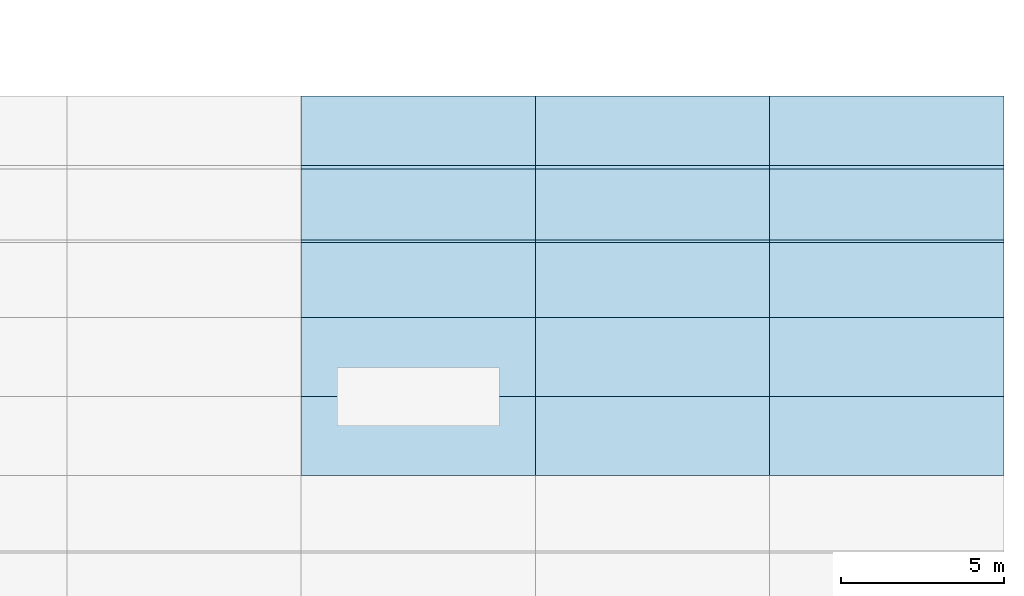
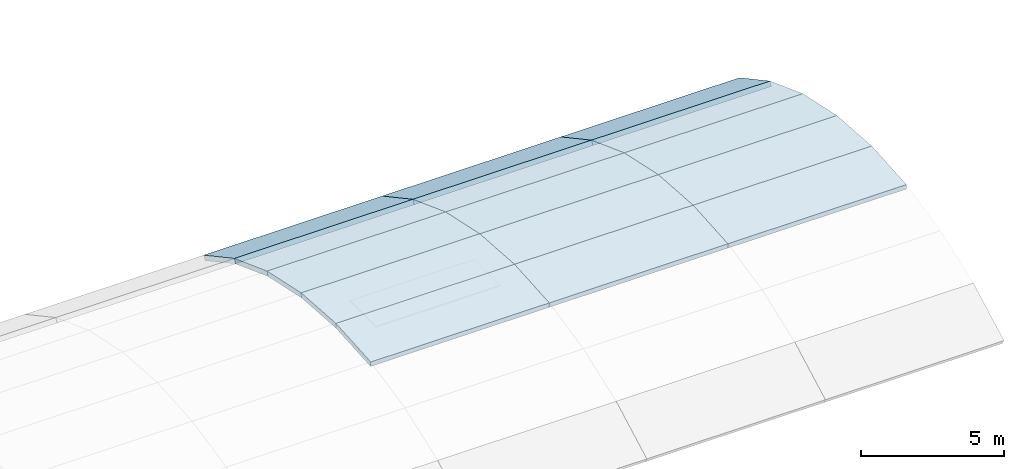
# One storey, part 28 of 55: 15 slabs.
"""IFC4 building model written with IfcOpenShell, lengths in metres."""

import ifcopenshell
import ifcopenshell.guid

model = None  # the IFC model being written
_history = None  # IfcOwnerHistory: only IFC2X3 demands one
_inside = {}  # id of a spatial element -> (the spatial element, [elements in it])
_under = {}  # id of a project, library or spatial element -> (it, [spatial elements below it])
_declared = {}  # id of a project -> (the project, [libraries it declares])
_typed = {}  # id of a type object -> (the type object, [elements of that type])
_made_of = {}  # id of a material, layer set ... -> (it, [elements and type objects made of it])


def new_model(schema):
    """Start an empty IFC model of exactly this schema.

    Asked for "IFC4X3", IfcOpenShell would pick the latest addendum, in which some entities
    have other attributes; the version numbers below select the first issue.
    IFC2X3 requires an IfcOwnerHistory on every rooted entity: one is made here for all.
    """
    global model, _history
    if schema == "IFC4X3":
        model = ifcopenshell.file(schema_version=(4, 3, 0, 0))
    else:
        model = ifcopenshell.file(schema=schema)
    _inside.clear()
    _under.clear()
    _declared.clear()
    _typed.clear()
    _made_of.clear()
    _history = None
    if model.schema == "IFC2X3":
        org = make("IfcOrganization", Name="unknown")
        user = make(
            "IfcPersonAndOrganization",
            ThePerson=make("IfcPerson", FamilyName="unknown"),
            TheOrganization=org,
        )
        app = make(
            "IfcApplication",
            ApplicationDeveloper=org,
            Version="unknown",
            ApplicationFullName="unknown",
            ApplicationIdentifier="unknown",
        )
        _history = make(
            "IfcOwnerHistory",
            OwningUser=user,
            OwningApplication=app,
            ChangeAction="ADDED",
            CreationDate=0,
        )
    return model


def make(cls, **values):
    """One entity of the class cls with the attributes given. An attribute that is None is left unset."""
    return model.create_entity(
        cls, **{name: value for name, value in values.items() if value is not None}
    )


def rooted(cls, **values):
    """An entity with a GlobalId (a new one), such as an element, a storey or a relation."""
    return make(cls, GlobalId=ifcopenshell.guid.new(), OwnerHistory=_history, **values)


def si_unit(unit_type, name, prefix=None):
    """IfcSIUnit, for example si_unit("LENGTHUNIT", "METRE", prefix="MILLI")."""
    return make("IfcSIUnit", UnitType=unit_type, Prefix=prefix, Name=name)


def assignment(units):
    """IfcUnitAssignment: the units of a project."""
    return None if units is None else make("IfcUnitAssignment", Units=units)


def point(xyz):
    """IfcCartesianPoint."""
    return None if xyz is None else make("IfcCartesianPoint", Coordinates=xyz)


def direction(xyz):
    """IfcDirection."""
    return None if xyz is None else make("IfcDirection", DirectionRatios=xyz)


def frame(location, z_axis=None, x_axis=None):
    """IfcAxis2Placement3D, a coordinate frame: its origin and axes. An axis left out is left unset."""
    return make(
        "IfcAxis2Placement3D",
        Location=point(location),
        Axis=direction(z_axis),
        RefDirection=direction(x_axis),
    )


def origin():
    """The frame at (0, 0, 0) with its axes left unset."""
    return frame((0.0, 0.0, 0.0))


def place(relative_to, where):
    """IfcLocalPlacement: puts the frame where relative to a parent placement (None: the world)."""
    return make(
        "IfcLocalPlacement", PlacementRelTo=relative_to, RelativePlacement=where
    )


def context(
    kind, dimensions, precision=None, world=None, true_north=None, identifier=None
):
    """IfcGeometricRepresentationContext, for example the 3D "Model" context."""
    return make(
        "IfcGeometricRepresentationContext",
        ContextIdentifier=identifier,
        ContextType=kind,
        CoordinateSpaceDimension=dimensions,
        Precision=precision,
        WorldCoordinateSystem=world,
        TrueNorth=true_north,
    )


def subcontext(parent, identifier, kind, view, scale=None):
    """IfcGeometricRepresentationSubContext, for example "Body" below "Model"."""
    return make(
        "IfcGeometricRepresentationSubContext",
        ContextIdentifier=identifier,
        ContextType=kind,
        ParentContext=parent,
        TargetScale=scale,
        TargetView=view,
    )


def project(units=None, contexts=None):
    """IfcProject with its units and contexts."""
    return rooted(
        "IfcProject",
        Name="project",
        RepresentationContexts=contexts,
        UnitsInContext=assignment(units),
    )


def spatial(cls, under=None, at=None, **own):
    """A site, building, storey or space (cls), placed at a placement, below another one or the project."""
    s = rooted(cls, ObjectPlacement=at, **own)
    if under is not None:
        _under.setdefault(under.id(), (under, []))[1].append(s)
    return s


def polyline(points):
    """IfcPolyline through the points."""
    return make("IfcPolyline", Points=[point(p) for p in points])


def outline(outer, holes=None, kind="AREA"):
    """IfcArbitraryClosedProfileDef: a profile drawn as a closed curve; with holes, ...WithVoids."""
    if holes is None:
        return make("IfcArbitraryClosedProfileDef", ProfileType=kind, OuterCurve=outer)
    return make(
        "IfcArbitraryProfileDefWithVoids",
        ProfileType=kind,
        OuterCurve=outer,
        InnerCurves=holes,
    )


def extrude(swept, where, along, depth):
    """IfcExtrudedAreaSolid: the profile swept, set in the frame where, extruded along a direction by depth."""
    return make(
        "IfcExtrudedAreaSolid",
        SweptArea=swept,
        Position=where,
        ExtrudedDirection=direction(along),
        Depth=depth,
    )


def shape(context_of_items, identifier, shape_type, items):
    """IfcShapeRepresentation: the items that make up one representation, for example the "Body"."""
    return make(
        "IfcShapeRepresentation",
        ContextOfItems=context_of_items,
        RepresentationIdentifier=identifier,
        RepresentationType=shape_type,
        Items=items,
    )


def material(Name=None, Category=None):
    """IfcMaterial."""
    return make("IfcMaterial", Name=Name, Category=Category)


def layer(
    of_material, thickness, ventilated=None, Name=None, Category=None, Priority=None
):
    """IfcMaterialLayer: one layer of a wall or slab, of a material (None: an air gap)."""
    return make(
        "IfcMaterialLayer",
        Material=of_material,
        LayerThickness=thickness,
        IsVentilated=ventilated,
        Name=Name,
        Category=Category,
        Priority=Priority,
    )


def layer_set(layers, Name=None):
    """IfcMaterialLayerSet."""
    return make("IfcMaterialLayerSet", MaterialLayers=layers, LayerSetName=Name)


def made_of(thing, what):
    """Note that an element or type object is made of a material, layer set ...; save() writes the relation."""
    if what is not None:
        _made_of.setdefault(what.id(), (what, []))[1].append(thing)
    return thing


def type_object(cls, material=None, **own):
    """A type object (cls), such as IfcWallType, which elements share."""
    return made_of(rooted(cls, **own), material)


def element(
    cls,
    number,
    at=None,
    inside=None,
    cuts=None,
    type_object=None,
    material=None,
    context=None,
    identifier="Body",
    shape_type=None,
    held_by="IfcProductDefinitionShape",
    body=None,
    shapes=None,
    **own,
):
    """One element of the class cls, such as IfcWall. Its Tag is "e" and its number.

    at: its placement. inside: the storey or other place that contains it. cuts: it is an
    opening in that element (IfcRelVoidsElement). A single representation is given by context,
    identifier, shape_type and body (its items); several are given by shapes. held_by: the class
    of the entity that holds the representations. save() writes the other relations.
    """
    e = rooted(cls, Tag="e%d" % number, ObjectPlacement=at, **own)
    if body is not None:
        shapes = [shape(context, identifier, shape_type, body)]
    if shapes is not None:
        e.Representation = make(held_by, Representations=shapes)
    if inside is not None:
        _inside.setdefault(inside.id(), (inside, []))[1].append(e)
    if cuts is not None:
        rooted(
            "IfcRelVoidsElement", RelatingBuildingElement=cuts, RelatedOpeningElement=e
        )
    if type_object is not None:
        _typed.setdefault(type_object.id(), (type_object, []))[1].append(e)
    return made_of(e, material)


def aggregate(whole, parts):
    """IfcRelAggregates: a whole, such as a stair, and the parts it consists of."""
    return rooted("IfcRelAggregates", RelatingObject=whole, RelatedObjects=parts)


def save(model, path):
    """Write the relations noted so far, then the file.

    IfcRelAggregates (storeys below a building ...), IfcRelContainedInSpatialStructure (elements
    in a storey), IfcRelDefinesByType, IfcRelAssociatesMaterial and IfcRelDeclares: one each for
    every whole, place, type object, material and project.
    """
    for whole, parts in _under.values():
        aggregate(whole, parts)
    for where, things in _inside.values():
        rooted(
            "IfcRelContainedInSpatialStructure",
            RelatedElements=things,
            RelatingStructure=where,
        )
    for kind, things in _typed.values():
        rooted("IfcRelDefinesByType", RelatedObjects=things, RelatingType=kind)
    for what, things in _made_of.values():
        rooted("IfcRelAssociatesMaterial", RelatedObjects=things, RelatingMaterial=what)
    for by, libraries in _declared.values():
        rooted("IfcRelDeclares", RelatingContext=by, RelatedDefinitions=libraries)
    model.write(path)


model = new_model("IFC4")

# Units and contexts
model_context = context("Model", 3, precision=1e-05, world=origin(), true_north=direction((0.0, 1.0)))
body_context = subcontext(model_context, "Body", "Model", "MODEL_VIEW")
ifc_project = project(units=[si_unit("LENGTHUNIT", "METRE"), si_unit("AREAUNIT", "SQUARE_METRE"), si_unit("VOLUMEUNIT", "CUBIC_METRE"), si_unit("PLANEANGLEUNIT", "RADIAN"), si_unit("MASSUNIT", "GRAM", prefix="KILO")], contexts=[model_context])

# Site, building, storey
site_placement = place(None, origin())
site = spatial("IfcSite", under=ifc_project, at=site_placement, CompositionType="ELEMENT")
building_placement = place(site_placement, origin())
building = spatial("IfcBuilding", under=site, at=building_placement, Name="Kazehaya Institute of Natural Sciences", CompositionType="ELEMENT")
storey_placement = place(building_placement, frame((0.0, 0.0, 15.1201171875)))
storey = spatial("IfcBuildingStorey", under=building, at=storey_placement, Name="L03", CompositionType="ELEMENT", Elevation=15.1201171875)

# Slabs
ifc_material = material(Name="Concrete Fc36", Category="concrete")
ifc_layer = layer(ifc_material, 0.199951171875, Name="Concrete Fc36", Category="concrete")
ifc_layer_set = layer_set([ifc_layer], Name="Concrete Fc36")
slab_type = type_object("IfcSlabType", Name="SL-SHL-200", PredefinedType="ROOF", material=ifc_layer_set)
slab_1_placement = place(storey_placement, frame((141.0, 25.9697265625, 3.147216796875), z_axis=(0.0, -0.070848240307, 0.997487106105), x_axis=(1.0, 0.0, 0.0)))
element("IfcSlab", 1, at=slab_1_placement, inside=storey, type_object=slab_type, Name="SH-VOL1 barrel vault shell strip 7", PredefinedType="ROOF", context=body_context, shape_type="SweptSolid", body=[
    extrude(outline(polyline([(0.0, 0.0), (7.199951171875, 0.0), (7.199951171875, 2.436297939468895), (0.0, 2.436297939468895), (0.0, 0.0)])), origin(), (0.0, 0.0, -1.0), 0.199951171875),
])
slab_2_placement = place(storey_placement, frame((141.0, 28.39990234375, 3.31982421875), z_axis=(0.0, 0.070841159175, 0.997487609029), x_axis=(1.0, 0.0, 0.0)))
element("IfcSlab", 2, at=slab_2_placement, inside=storey, type_object=slab_type, Name="SH-VOL1 barrel vault shell strip 8", PredefinedType="ROOF", context=body_context, shape_type="SweptSolid", body=[
    extrude(outline(polyline([(0.0, 0.0), (7.199951171875, 0.0), (7.199951171875, 2.436541466655804), (0.0, 2.436541466655804), (0.0, 0.0)])), origin(), (0.0, 0.0, -1.0), 0.199951171875),
])
slab_3_placement = place(storey_placement, frame((141.0, 30.830322265625, 3.147216796875), z_axis=(0.0, 0.211123225914, 0.977459453624), x_axis=(1.0, 0.0, 0.0)))
element("IfcSlab", 3, at=slab_3_placement, inside=storey, type_object=slab_type, Name="SH-VOL1 barrel vault shell strip 9", PredefinedType="ROOF", context=body_context, shape_type="SweptSolid", body=[
    extrude(outline(polyline([(0.0, 0.0), (7.199951171875, 0.0), (7.199951171875, 2.436512111110009), (0.0, 2.436512111110009), (0.0, 0.0)])), origin(), (0.0, 0.0, -1.0), 0.199951171875),
])
slab_4_placement = place(storey_placement, frame((141.0, 33.2119140625, 2.6328125), z_axis=(0.0, 0.347232758917, 0.937778977763), x_axis=(1.0, 0.0, 0.0)))
element("IfcSlab", 4, at=slab_4_placement, inside=storey, type_object=slab_type, Name="SH-VOL1 barrel vault shell strip 10", PredefinedType="ROOF", context=body_context, shape_type="SweptSolid", body=[
    extrude(outline(polyline([(0.0, 0.0), (7.199951171875, 0.0), (7.199951171875, 2.4362541952043233), (0.0, 2.4362541952043233), (0.0, 0.0)])), origin(), (0.0, 0.0, -1.0), 0.199951171875),
])
slab_5_placement = place(storey_placement, frame((141.0, 35.49658203125, 1.786865234375), z_axis=(0.0, 0.476273464289, 0.879297212104), x_axis=(1.0, 0.0, 0.0)))
element("IfcSlab", 5, at=slab_5_placement, inside=storey, type_object=slab_type, Name="SH-VOL1 barrel vault shell strip 11", PredefinedType="ROOF", context=body_context, shape_type="SweptSolid", body=[
    extrude(outline(polyline([(0.0, 0.0), (7.199951171875, 0.0), (7.199951171875, 2.4364162138622203), (0.0, 2.4364162138622203), (0.0, 0.0)])), origin(), (0.0, 0.0, -1.0), 0.199951171875),
])
slab_6_placement = place(storey_placement, frame((148.199951171875, 25.9697265625, 3.147216796875), z_axis=(0.0, -0.070848240307, 0.997487106105), x_axis=(1.0, 0.0, 0.0)))
element("IfcSlab", 6, at=slab_6_placement, inside=storey, type_object=slab_type, Name="SH-VOL1 barrel vault shell strip 7", PredefinedType="ROOF", context=body_context, shape_type="SweptSolid", body=[
    extrude(outline(polyline([(0.0, 0.0), (7.199951171875, 0.0), (7.199951171875, 2.436297939468895), (0.0, 2.436297939468895), (0.0, 0.0)])), origin(), (0.0, 0.0, -1.0), 0.199951171875),
])
slab_7_placement = place(storey_placement, frame((148.199951171875, 28.39990234375, 3.31982421875), z_axis=(0.0, 0.070841159175, 0.997487609029), x_axis=(1.0, 0.0, 0.0)))
element("IfcSlab", 7, at=slab_7_placement, inside=storey, type_object=slab_type, Name="SH-VOL1 barrel vault shell strip 8", PredefinedType="ROOF", context=body_context, shape_type="SweptSolid", body=[
    extrude(outline(polyline([(0.0, 0.0), (7.199951171875, 0.0), (7.199951171875, 2.436541466655804), (0.0, 2.436541466655804), (0.0, 0.0)])), origin(), (0.0, 0.0, -1.0), 0.199951171875),
])
slab_8_placement = place(storey_placement, frame((148.199951171875, 30.830322265625, 3.147216796875), z_axis=(0.0, 0.211123225914, 0.977459453624), x_axis=(1.0, 0.0, 0.0)))
element("IfcSlab", 8, at=slab_8_placement, inside=storey, type_object=slab_type, Name="SH-VOL1 barrel vault shell strip 9", PredefinedType="ROOF", context=body_context, shape_type="SweptSolid", body=[
    extrude(outline(polyline([(0.0, 0.0), (7.199951171875, 0.0), (7.199951171875, 2.436512111110009), (0.0, 2.436512111110009), (0.0, 0.0)])), origin(), (0.0, 0.0, -1.0), 0.199951171875),
])
slab_9_placement = place(storey_placement, frame((148.199951171875, 33.2119140625, 2.6328125), z_axis=(0.0, 0.347232758917, 0.937778977763), x_axis=(1.0, 0.0, 0.0)))
element("IfcSlab", 9, at=slab_9_placement, inside=storey, type_object=slab_type, Name="SH-VOL1 barrel vault shell strip 10", PredefinedType="ROOF", context=body_context, shape_type="SweptSolid", body=[
    extrude(outline(polyline([(0.0, 0.0), (7.199951171875, 0.0), (7.199951171875, 2.4362541952043233), (0.0, 2.4362541952043233), (0.0, 0.0)])), origin(), (0.0, 0.0, -1.0), 0.199951171875),
])
slab_10_placement = place(storey_placement, frame((148.199951171875, 35.49658203125, 1.786865234375), z_axis=(0.0, 0.476273464289, 0.879297212104), x_axis=(1.0, 0.0, 0.0)))
element("IfcSlab", 10, at=slab_10_placement, inside=storey, type_object=slab_type, Name="SH-VOL1 barrel vault shell strip 11", PredefinedType="ROOF", context=body_context, shape_type="SweptSolid", body=[
    extrude(outline(polyline([(0.0, 0.0), (7.199951171875, 0.0), (7.199951171875, 2.4364162138622203), (0.0, 2.4364162138622203), (0.0, 0.0)])), origin(), (0.0, 0.0, -1.0), 0.199951171875),
])
slab_11_placement = place(storey_placement, frame((155.39990234375, 25.9697265625, 3.147216796875), z_axis=(0.0, -0.070848240307, 0.997487106105), x_axis=(1.0, 0.0, 0.0)))
element("IfcSlab", 11, at=slab_11_placement, inside=storey, type_object=slab_type, Name="SH-VOL1 barrel vault shell strip 7", PredefinedType="ROOF", context=body_context, shape_type="SweptSolid", body=[
    extrude(outline(polyline([(0.0, 0.0), (7.2001953125, 0.0), (7.2001953125, 2.436297939468895), (0.0, 2.436297939468895), (0.0, 0.0)])), origin(), (0.0, 0.0, -1.0), 0.199951171875),
])
slab_12_placement = place(storey_placement, frame((155.39990234375, 28.39990234375, 3.31982421875), z_axis=(0.0, 0.070841159175, 0.997487609029), x_axis=(1.0, 0.0, 0.0)))
element("IfcSlab", 12, at=slab_12_placement, inside=storey, type_object=slab_type, Name="SH-VOL1 barrel vault shell strip 8", PredefinedType="ROOF", context=body_context, shape_type="SweptSolid", body=[
    extrude(outline(polyline([(0.0, 0.0), (7.2001953125, 0.0), (7.2001953125, 2.436541466655804), (0.0, 2.436541466655804), (0.0, 0.0)])), origin(), (0.0, 0.0, -1.0), 0.199951171875),
])
slab_13_placement = place(storey_placement, frame((155.39990234375, 30.830322265625, 3.147216796875), z_axis=(0.0, 0.211123225914, 0.977459453624), x_axis=(1.0, 0.0, 0.0)))
element("IfcSlab", 13, at=slab_13_placement, inside=storey, type_object=slab_type, Name="SH-VOL1 barrel vault shell strip 9", PredefinedType="ROOF", context=body_context, shape_type="SweptSolid", body=[
    extrude(outline(polyline([(0.0, 0.0), (7.2001953125, 0.0), (7.2001953125, 2.4365121111100096), (0.0, 2.4365121111100096), (0.0, 0.0)])), origin(), (0.0, 0.0, -1.0), 0.199951171875),
])
slab_14_placement = place(storey_placement, frame((155.39990234375, 33.2119140625, 2.6328125), z_axis=(0.0, 0.347232758917, 0.937778977763), x_axis=(1.0, 0.0, 0.0)))
element("IfcSlab", 14, at=slab_14_placement, inside=storey, type_object=slab_type, Name="SH-VOL1 barrel vault shell strip 10", PredefinedType="ROOF", context=body_context, shape_type="SweptSolid", body=[
    extrude(outline(polyline([(0.0, 0.0), (7.2001953125, 0.0), (7.2001953125, 2.4362541952043233), (0.0, 2.4362541952043233), (0.0, 0.0)])), origin(), (0.0, 0.0, -1.0), 0.199951171875),
])
slab_15_placement = place(storey_placement, frame((155.39990234375, 35.49658203125, 1.786865234375), z_axis=(0.0, 0.476273464289, 0.879297212104), x_axis=(1.0, 0.0, 0.0)))
element("IfcSlab", 15, at=slab_15_placement, inside=storey, type_object=slab_type, Name="SH-VOL1 barrel vault shell strip 11", PredefinedType="ROOF", context=body_context, shape_type="SweptSolid", body=[
    extrude(outline(polyline([(0.0, 0.0), (7.2001953125, 0.0), (7.2001953125, 2.43641621386222), (0.0, 2.43641621386222), (0.0, 0.0)])), origin(), (0.0, 0.0, -1.0), 0.199951171875),
])

save(model, "model.ifc")
